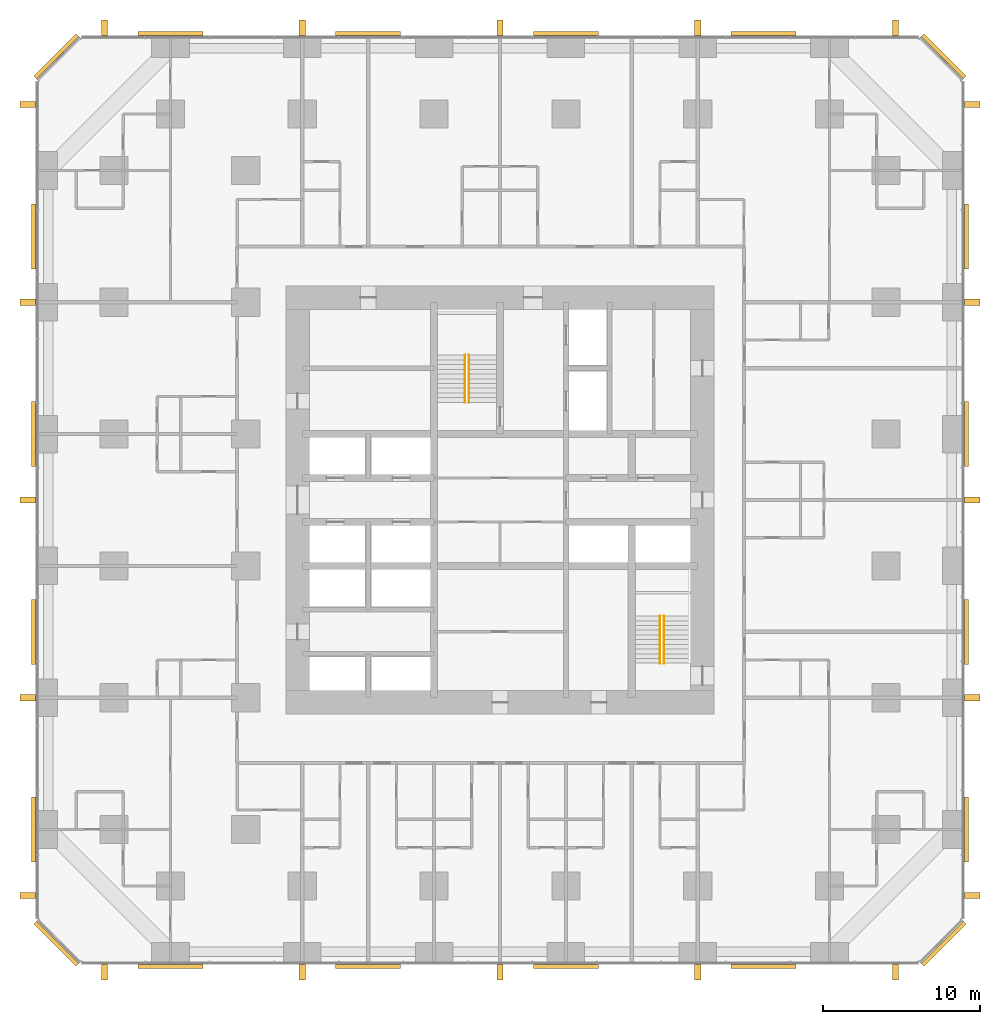
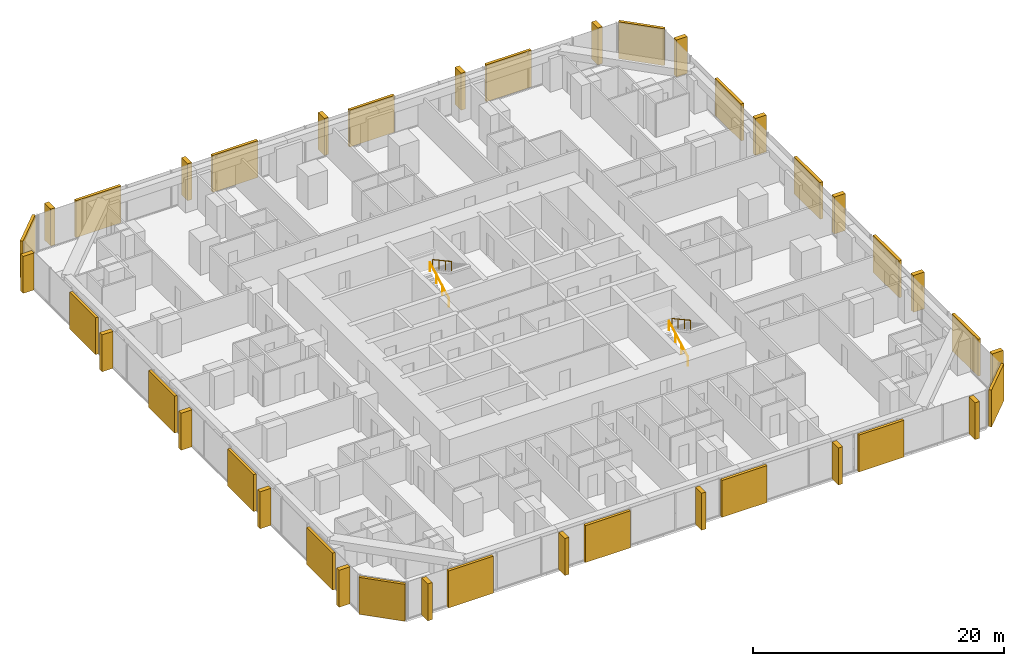
# One storey, part 17 of 17: 20 coverings, 20 shading devices, 4 railings.
"""IFC4 building model written with IfcOpenShell, lengths in metres."""

from ifc_helpers import new_model, si_unit, direction, frame, origin, origin_2d, place, context, subcontext, project, spatial, rectangle, circle, extrude, material, layer, layer_set, type_object, element, save


model = new_model("IFC4")

# Units and contexts
model_context = context("Model", 3, precision=1e-05, world=origin(), true_north=direction((0.0, 1.0)))
body_context = subcontext(model_context, "Body", "Model", "MODEL_VIEW")
ifc_project = project(units=[si_unit("LENGTHUNIT", "METRE"), si_unit("AREAUNIT", "SQUARE_METRE"), si_unit("VOLUMEUNIT", "CUBIC_METRE"), si_unit("PLANEANGLEUNIT", "RADIAN"), si_unit("MASSUNIT", "GRAM", prefix="KILO")], contexts=[model_context])

# Site, building, storey
site_placement = place(None, origin())
site = spatial("IfcSite", under=ifc_project, at=site_placement, CompositionType="ELEMENT")
building_placement = place(site_placement, origin())
building = spatial("IfcBuilding", under=site, at=building_placement, Name="Dunama Terrace Hotel", CompositionType="ELEMENT")
storey_placement = place(building_placement, frame((0.0, 0.0, 73.800048828125)))
storey = spatial("IfcBuildingStorey", under=building, at=storey_placement, Name="L18", CompositionType="ELEMENT", Elevation=73.800048828125)

# Railings
ifc_material_1 = material(Name="Stainless steel handrail", Category="steel")
railing_type = type_object("IfcRailingType", Name="Stair handrail 900", PredefinedType="HANDRAIL", material=ifc_material_1)
railing_1_placement = place(storey_placement, frame((27.175048828125, 35.625, 0.16357421875)))
element("IfcRailing", 1, at=railing_1_placement, inside=storey, type_object=railing_type, Name="Handrail ST1 L18", PredefinedType="HANDRAIL", context=body_context, shape_type="SweptSolid", body=[
    extrude(circle(Radius=0.02392578125, at=origin_2d()), frame((0.0, 0.0, 0.8759765625), z_axis=(0.0, 0.877881921179, 0.478877158013), x_axis=(-1.0, 0.0, 0.0)), (0.0, 0.0, 1.0), 3.417236328125),
    extrude(circle(Radius=0.02099609375, at=origin_2d()), origin(), (0.0, 0.0, 1.0), 0.851806640625),
    extrude(circle(Radius=0.02099609375, at=origin_2d()), frame((0.0, 1.0, 0.54541015625)), (0.0, 0.0, 1.0), 0.851806640625),
    extrude(circle(Radius=0.02099609375, at=origin_2d()), frame((0.0, 2.0, 1.091064453125)), (0.0, 0.0, 1.0), 0.851806640625),
    extrude(circle(Radius=0.02099609375, at=origin_2d()), frame((0.0, 3.0, 1.636474609375)), (0.0, 0.0, 1.0), 0.851806640625),
])
railing_2_placement = place(storey_placement, frame((27.425048828125, 38.625, 1.963623046875)))
element("IfcRailing", 2, at=railing_2_placement, inside=storey, type_object=railing_type, Name="Handrail ST1 L18", PredefinedType="HANDRAIL", context=body_context, shape_type="SweptSolid", body=[
    extrude(circle(Radius=0.02392578125, at=origin_2d()), frame((0.0, 0.0, 0.8759765625), z_axis=(0.0, -0.877911954615, 0.47882209634), x_axis=(1.0, 0.0, 0.0)), (0.0, 0.0, 1.0), 3.417236328125),
    extrude(circle(Radius=0.02099609375, at=origin_2d()), origin(), (0.0, 0.0, 1.0), 0.851806640625),
    extrude(circle(Radius=0.02099609375, at=origin_2d()), frame((0.0, -1.0, 0.54541015625)), (0.0, 0.0, 1.0), 0.851806640625),
    extrude(circle(Radius=0.02099609375, at=origin_2d()), frame((0.0, -2.0, 1.0908203125)), (0.0, 0.0, 1.0), 0.851806640625),
    extrude(circle(Radius=0.02099609375, at=origin_2d()), frame((0.0, -3.0, 1.63623046875)), (0.0, 0.0, 1.0), 0.851806640625),
])
railing_3_placement = place(storey_placement, frame((39.60009765625, 19.0, 0.16357421875)))
element("IfcRailing", 3, at=railing_3_placement, inside=storey, type_object=railing_type, Name="Handrail ST2 L18", PredefinedType="HANDRAIL", context=body_context, shape_type="SweptSolid", body=[
    extrude(circle(Radius=0.02392578125, at=origin_2d()), frame((0.0, 0.0, 0.8759765625), z_axis=(0.0, 0.877881921179, 0.478877158013), x_axis=(-1.0, 0.0, 0.0)), (0.0, 0.0, 1.0), 3.417236328125),
    extrude(circle(Radius=0.02099609375, at=origin_2d()), origin(), (0.0, 0.0, 1.0), 0.851806640625),
    extrude(circle(Radius=0.02099609375, at=origin_2d()), frame((0.0, 1.0, 0.54541015625)), (0.0, 0.0, 1.0), 0.851806640625),
    extrude(circle(Radius=0.02099609375, at=origin_2d()), frame((0.0, 2.0, 1.091064453125)), (0.0, 0.0, 1.0), 0.851806640625),
    extrude(circle(Radius=0.02099609375, at=origin_2d()), frame((0.0, 3.0, 1.636474609375)), (0.0, 0.0, 1.0), 0.851806640625),
])
railing_4_placement = place(storey_placement, frame((39.85009765625, 22.0, 1.963623046875)))
element("IfcRailing", 4, at=railing_4_placement, inside=storey, type_object=railing_type, Name="Handrail ST2 L18", PredefinedType="HANDRAIL", context=body_context, shape_type="SweptSolid", body=[
    extrude(circle(Radius=0.02392578125, at=origin_2d()), frame((0.0, 0.0, 0.8759765625), z_axis=(0.0, -0.877911954615, 0.47882209634), x_axis=(1.0, 0.0, 0.0)), (0.0, 0.0, 1.0), 3.417236328125),
    extrude(circle(Radius=0.02099609375, at=origin_2d()), origin(), (0.0, 0.0, 1.0), 0.851806640625),
    extrude(circle(Radius=0.02099609375, at=origin_2d()), frame((0.0, -1.0, 0.54541015625)), (0.0, 0.0, 1.0), 0.851806640625),
    extrude(circle(Radius=0.02099609375, at=origin_2d()), frame((0.0, -2.0, 1.0908203125)), (0.0, 0.0, 1.0), 0.851806640625),
    extrude(circle(Radius=0.02099609375, at=origin_2d()), frame((0.0, -3.0, 1.63623046875)), (0.0, 0.0, 1.0), 0.851806640625),
])

# Coverings
ifc_material_2 = material(Name="Warm reconstituted stone panel", Category="masonry")
ifc_layer_1 = layer(ifc_material_2, 0.25)
ifc_layer_set_1 = layer_set([ifc_layer_1], Name="Stone diagonal panel")
covering_type = type_object("IfcCoveringType", Name="Stone diagonal panel", PredefinedType="CLADDING", material=ifc_layer_set_1)
for number, where, z_axis, x_axis, name in (
    (5, (8.39990234375, -0.322998046875, 0.001953125), (0.0, 0.0, 1.0), (1.0, 0.0, 0.0), "Stone diagonal panel L18"),
    (6, (21.0, -0.322998046875, 0.001953125), (0.0, 0.0, 1.0), (1.0, 0.0, 0.0), "Stone diagonal panel L18"),
    (7, (33.60009765625, -0.322998046875, 0.001953125), (0.0, 0.0, 1.0), (1.0, 0.0, 0.0), "Stone diagonal panel L18"),
    (8, (46.199951171875, -0.322998046875, 0.001953125), (0.0, 0.0, 1.0), (1.0, 0.0, 0.0), "Stone diagonal panel L18"),
):
    element("IfcCovering", number, at=place(storey_placement, frame(where, z_axis=z_axis, x_axis=x_axis)), inside=storey, type_object=covering_type, Name=name, PredefinedType="CLADDING", context=body_context, shape_type="SweptSolid", body=[
        extrude(rectangle(XDim=4.14990234375, YDim=0.25, at=origin_2d()), origin(), (0.0, 0.0, 1.0), 3.595947265625),
    ])
covering_1_placement = place(storey_placement, frame((57.678955078125, 1.12109375, 0.001953125), z_axis=(0.0, 0.0, 1.0), x_axis=(0.707106781187, 0.707106781187, 0.0)))
element("IfcCovering", 9, at=covering_1_placement, inside=storey, type_object=covering_type, Name="Stone diagonal panel L18", PredefinedType="CLADDING", context=body_context, shape_type="SweptSolid", body=[
    extrude(rectangle(XDim=3.808349609375, YDim=0.25, at=origin_2d()), origin(), (0.0, 0.0, 1.0), 3.595947265625),
])
for number, where, z_axis, x_axis, name in (
    (10, (59.123046875, 8.39990234375, 0.001953125), (0.0, 0.0, 1.0), (0.0, 1.0, 0.0), "Stone diagonal panel L18"),
    (11, (59.123046875, 21.0, 0.001953125), (0.0, 0.0, 1.0), (0.0, 1.0, 0.0), "Stone diagonal panel L18"),
    (12, (59.123046875, 33.60009765625, 0.001953125), (0.0, 0.0, 1.0), (0.0, 1.0, 0.0), "Stone diagonal panel L18"),
    (13, (59.123046875, 46.199951171875, 0.001953125), (0.0, 0.0, 1.0), (0.0, 1.0, 0.0), "Stone diagonal panel L18"),
):
    element("IfcCovering", number, at=place(storey_placement, frame(where, z_axis=z_axis, x_axis=x_axis)), inside=storey, type_object=covering_type, Name=name, PredefinedType="CLADDING", context=body_context, shape_type="SweptSolid", body=[
        extrude(rectangle(XDim=4.14990234375, YDim=0.25, at=origin_2d()), origin(), (0.0, 0.0, 1.0), 3.595947265625),
    ])
covering_2_placement = place(storey_placement, frame((57.678955078125, 57.678955078125, 0.001953125), z_axis=(0.0, 0.0, 1.0), x_axis=(-0.707106781187, 0.707106781187, 0.0)))
element("IfcCovering", 14, at=covering_2_placement, inside=storey, type_object=covering_type, Name="Stone diagonal panel L18", PredefinedType="CLADDING", context=body_context, shape_type="SweptSolid", body=[
    extrude(rectangle(XDim=3.808349609375, YDim=0.25, at=origin_2d()), origin(), (0.0, 0.0, 1.0), 3.595947265625),
])
for number, where, z_axis, x_axis, name in (
    (15, (46.199951171875, 59.123046875, 0.001953125), (0.0, 0.0, 1.0), (-1.0, 0.0, 0.0), "Stone diagonal panel L18"),
    (16, (33.60009765625, 59.123046875, 0.001953125), (0.0, 0.0, 1.0), (-1.0, 0.0, 0.0), "Stone diagonal panel L18"),
    (17, (21.0, 59.123046875, 0.001953125), (0.0, 0.0, 1.0), (-1.0, 0.0, 0.0), "Stone diagonal panel L18"),
    (18, (8.39990234375, 59.123046875, 0.001953125), (0.0, 0.0, 1.0), (-1.0, 0.0, 0.0), "Stone diagonal panel L18"),
):
    element("IfcCovering", number, at=place(storey_placement, frame(where, z_axis=z_axis, x_axis=x_axis)), inside=storey, type_object=covering_type, Name=name, PredefinedType="CLADDING", context=body_context, shape_type="SweptSolid", body=[
        extrude(rectangle(XDim=4.14990234375, YDim=0.25, at=origin_2d()), origin(), (0.0, 0.0, 1.0), 3.595947265625),
    ])
covering_3_placement = place(storey_placement, frame((1.12109375, 57.678955078125, 0.001953125), z_axis=(0.0, 0.0, 1.0), x_axis=(-0.707106781187, -0.707106781187, 0.0)))
element("IfcCovering", 19, at=covering_3_placement, inside=storey, type_object=covering_type, Name="Stone diagonal panel L18", PredefinedType="CLADDING", context=body_context, shape_type="SweptSolid", body=[
    extrude(rectangle(XDim=3.808349609375, YDim=0.25, at=origin_2d()), origin(), (0.0, 0.0, 1.0), 3.595947265625),
])
for number, where, z_axis, x_axis, name in (
    (20, (-0.322998046875, 46.199951171875, 0.001953125), (0.0, 0.0, 1.0), (0.0, -1.0, 0.0), "Stone diagonal panel L18"),
    (21, (-0.322998046875, 33.60009765625, 0.001953125), (0.0, 0.0, 1.0), (0.0, -1.0, 0.0), "Stone diagonal panel L18"),
    (22, (-0.322998046875, 21.0, 0.001953125), (0.0, 0.0, 1.0), (0.0, -1.0, 0.0), "Stone diagonal panel L18"),
    (23, (-0.322998046875, 8.39990234375, 0.001953125), (0.0, 0.0, 1.0), (0.0, -1.0, 0.0), "Stone diagonal panel L18"),
):
    element("IfcCovering", number, at=place(storey_placement, frame(where, z_axis=z_axis, x_axis=x_axis)), inside=storey, type_object=covering_type, Name=name, PredefinedType="CLADDING", context=body_context, shape_type="SweptSolid", body=[
        extrude(rectangle(XDim=4.14990234375, YDim=0.25, at=origin_2d()), origin(), (0.0, 0.0, 1.0), 3.595947265625),
    ])
covering_4_placement = place(storey_placement, frame((1.12109375, 1.12109375, 0.001953125), z_axis=(0.0, 0.0, 1.0), x_axis=(0.707106781187, -0.707106781187, 0.0)))
element("IfcCovering", 24, at=covering_4_placement, inside=storey, type_object=covering_type, Name="Stone diagonal panel L18", PredefinedType="CLADDING", context=body_context, shape_type="SweptSolid", body=[
    extrude(rectangle(XDim=3.808349609375, YDim=0.25, at=origin_2d()), origin(), (0.0, 0.0, 1.0), 3.595947265625),
])

# Shading devices
ifc_material_3 = material(Name="Warm reconstituted stone fin", Category="masonry")
ifc_layer_2 = layer(ifc_material_3, 0.39990234375)
ifc_layer_set_2 = layer_set([ifc_layer_2], Name="Warm stone fin 400x1000")
shading_device_type = type_object("IfcShadingDeviceType", Name="Warm stone fin 400x1000", PredefinedType="USERDEFINED", material=ifc_layer_set_2)
for number, where, z_axis, x_axis, name in (
    (25, (4.199951171875, -0.68798828125, 0.0), (0.0, 0.0, 1.0), (1.0, 0.0, 0.0), "Stone fin"),
    (26, (16.800048828125, -0.68798828125, 0.0), (0.0, 0.0, 1.0), (1.0, 0.0, 0.0), "Stone fin"),
    (27, (29.39990234375, -0.68798828125, 0.0), (0.0, 0.0, 1.0), (1.0, 0.0, 0.0), "Stone fin"),
    (28, (42.0, -0.68798828125, 0.0), (0.0, 0.0, 1.0), (1.0, 0.0, 0.0), "Stone fin"),
    (29, (54.60009765625, -0.68798828125, 0.0), (0.0, 0.0, 1.0), (1.0, 0.0, 0.0), "Stone fin"),
    (30, (59.488037109375, 4.199951171875, 0.0), (0.0, 0.0, 1.0), (0.0, 1.0, 0.0), "Stone fin"),
    (31, (59.488037109375, 16.800048828125, 0.0), (0.0, 0.0, 1.0), (0.0, 1.0, 0.0), "Stone fin"),
    (32, (59.488037109375, 29.39990234375, 0.0), (0.0, 0.0, 1.0), (0.0, 1.0, 0.0), "Stone fin"),
    (33, (59.488037109375, 42.0, 0.0), (0.0, 0.0, 1.0), (0.0, 1.0, 0.0), "Stone fin"),
    (34, (59.488037109375, 54.60009765625, 0.0), (0.0, 0.0, 1.0), (0.0, 1.0, 0.0), "Stone fin"),
    (35, (54.60009765625, 59.488037109375, 0.0), (0.0, 0.0, 1.0), (-1.0, 0.0, 0.0), "Stone fin"),
    (36, (42.0, 59.488037109375, 0.0), (0.0, 0.0, 1.0), (-1.0, 0.0, 0.0), "Stone fin"),
    (37, (29.39990234375, 59.488037109375, 0.0), (0.0, 0.0, 1.0), (-1.0, 0.0, 0.0), "Stone fin"),
    (38, (16.800048828125, 59.488037109375, 0.0), (0.0, 0.0, 1.0), (-1.0, 0.0, 0.0), "Stone fin"),
    (39, (4.199951171875, 59.488037109375, 0.0), (0.0, 0.0, 1.0), (-1.0, 0.0, 0.0), "Stone fin"),
    (40, (-0.68798828125, 54.60009765625, 0.0), (0.0, 0.0, 1.0), (0.0, -1.0, 0.0), "Stone fin"),
    (41, (-0.68798828125, 42.0, 0.0), (0.0, 0.0, 1.0), (0.0, -1.0, 0.0), "Stone fin"),
    (42, (-0.68798828125, 29.39990234375, 0.0), (0.0, 0.0, 1.0), (0.0, -1.0, 0.0), "Stone fin"),
    (43, (-0.68798828125, 16.800048828125, 0.0), (0.0, 0.0, 1.0), (0.0, -1.0, 0.0), "Stone fin"),
    (44, (-0.68798828125, 4.199951171875, 0.0), (0.0, 0.0, 1.0), (0.0, -1.0, 0.0), "Stone fin"),
):
    element("IfcShadingDevice", number, at=place(storey_placement, frame(where, z_axis=z_axis, x_axis=x_axis)), inside=storey, type_object=shading_device_type, Name=name, ObjectType="FIN", PredefinedType="USERDEFINED", context=body_context, shape_type="SweptSolid", body=[
        extrude(rectangle(XDim=0.39990234375, YDim=1.0, at=origin_2d()), origin(), (0.0, 0.0, 1.0), 3.60009765625),
    ])

save(model, "model.ifc")
